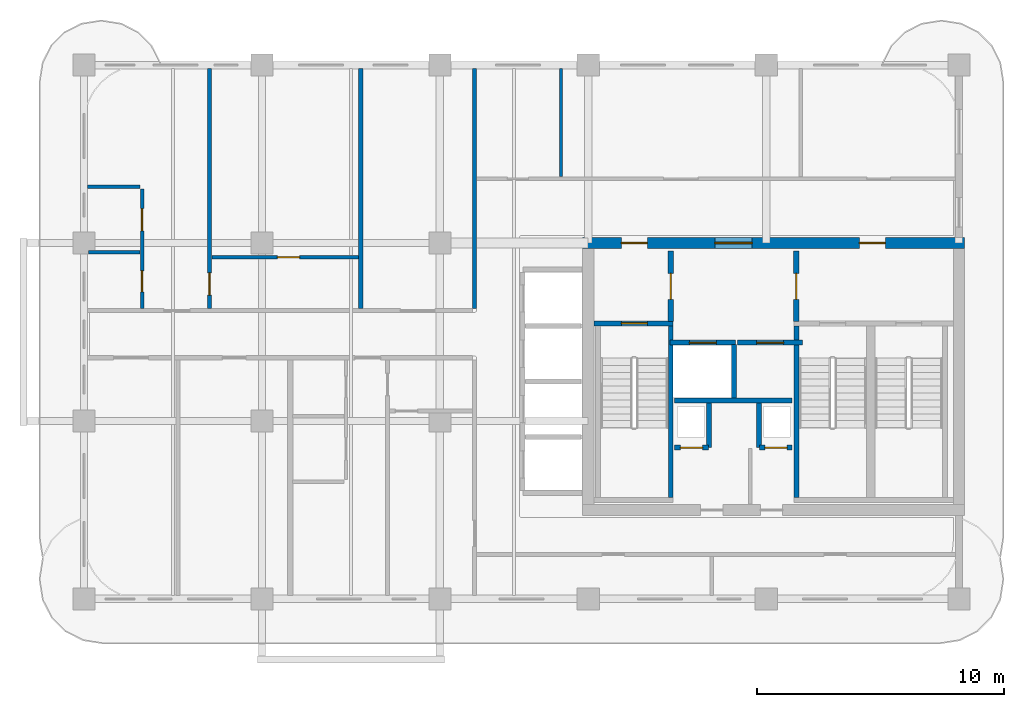
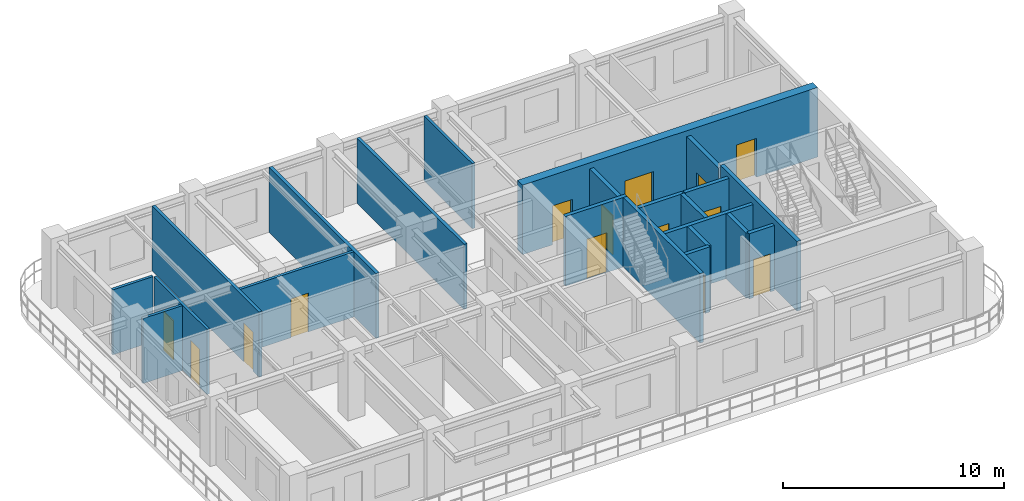
# One storey, part 4 of 8: 22 walls, 14 doors, 14 openings.
"""IFC4 building model written with IfcOpenShell, lengths in metres."""

from ifc_helpers import new_model, si_unit, derived_unit, direction, frame, frame_2d, origin, place, context, subcontext, project, spatial, rectangle, extrude, source, transform, mapped, material, layer, layer_set, type_object, type_shapes, element, fill, save


model = new_model("IFC4")

# Units and contexts
model_context = context("Model", 3, precision=1e-05, world=origin(), true_north=direction((0.0, 1.0)))
body_context = subcontext(model_context, "Body", "Model", "MODEL_VIEW")
ifc_project = project(units=[si_unit("LENGTHUNIT", "METRE"), si_unit("AREAUNIT", "SQUARE_METRE"), si_unit("VOLUMEUNIT", "CUBIC_METRE"), si_unit("PLANEANGLEUNIT", "RADIAN"), si_unit("MASSUNIT", "GRAM", prefix="KILO"), si_unit("THERMODYNAMICTEMPERATUREUNIT", "KELVIN"), si_unit("POWERUNIT", "WATT"), derived_unit("THERMALTRANSMITTANCEUNIT", [(si_unit("POWERUNIT", "WATT"), 1), (si_unit("AREAUNIT", "SQUARE_METRE"), -1), (si_unit("THERMODYNAMICTEMPERATUREUNIT", "KELVIN"), -1)])], contexts=[model_context])

# Site, building, storey
site_placement = place(None, origin())
site = spatial("IfcSite", under=ifc_project, at=site_placement, CompositionType="ELEMENT")
building_placement = place(site_placement, origin())
building = spatial("IfcBuilding", under=site, at=building_placement, Name="Zahravan Archway Hotel and Residences", CompositionType="ELEMENT")
storey_placement = place(building_placement, frame((0.0, 0.0, 228.85009765625)))
storey = spatial("IfcBuildingStorey", under=building, at=storey_placement, Name="L57", CompositionType="ELEMENT", Elevation=228.85009765625)

# Wall, openings, doors
ifc_material_1 = material(Name="Concrete C50/60", Category="concrete")
ifc_layer_1 = layer(ifc_material_1, 0.449951171875, Name="Concrete C50/60", Category="concrete")
ifc_layer_set_1 = layer_set([ifc_layer_1], Name="Concrete C50/60")
wall_type_1 = type_object("IfcWallType", Name="CW-CORE-450", PredefinedType="SHEAR", material=ifc_layer_set_1)
wall_1_placement = place(storey_placement, frame((34.574951171875, 14.39990234375, 0.0), z_axis=(0.0, 0.0, 1.0), x_axis=(1.0, 0.0, 0.0)))
wall_1 = element("IfcWall", 1, at=wall_1_placement, inside=storey, type_object=wall_type_1, Name="L57 Core A Shear N Wall 450 mm", PredefinedType="SHEAR", context=body_context, shape_type="SweptSolid", body=[
    extrude(rectangle(XDim=15.449951171875, YDim=0.449951171875, at=frame_2d((7.72509765625, 0.0))), origin(), (0.0, 0.0, 1.0), 3.849853515625),
])
opening_1_placement = place(wall_1_placement, frame((5.35498046875, 0.0, 0.0)))
opening_1 = element("IfcOpeningElement", 2, at=opening_1_placement, cuts=wall_1, Name="Opening FD-L1", PredefinedType="OPENING", context=body_context, shape_type="SweptSolid", body=[
    extrude(rectangle(XDim=1.5, YDim=2.199951171875, at=frame_2d((0.75, 1.10009765625))), frame((0.0, 0.23486328125, 0.0), z_axis=(0.0, -1.0, 0.0), x_axis=(1.0, 0.0, 0.0)), (0.0, 0.0, 1.0), 0.469970703125),
])
opening_2_placement = place(wall_1_placement, frame((1.570068359375, 0.0, 0.0)))
opening_2 = element("IfcOpeningElement", 3, at=opening_2_placement, cuts=wall_1, Name="Opening FD-L2", PredefinedType="OPENING", context=body_context, shape_type="SweptSolid", body=[
    extrude(rectangle(XDim=1.050048828125, YDim=2.14990234375, at=frame_2d((0.52490234375, 1.074951171875))), frame((0.0, 0.23486328125, 0.0), z_axis=(0.0, -1.0, 0.0), x_axis=(1.0, 0.0, 0.0)), (0.0, 0.0, 1.0), 0.469970703125),
])
opening_3_placement = place(wall_1_placement, frame((11.199951171875, 0.0, 0.0)))
opening_3 = element("IfcOpeningElement", 4, at=opening_3_placement, cuts=wall_1, Name="Opening FD-L2", PredefinedType="OPENING", context=body_context, shape_type="SweptSolid", body=[
    extrude(rectangle(XDim=1.050048828125, YDim=2.14990234375, at=frame_2d((0.52490234375, 1.074951171875))), frame((0.0, 0.23486328125, 0.0), z_axis=(0.0, -1.0, 0.0), x_axis=(1.0, 0.0, 0.0)), (0.0, 0.0, 1.0), 0.469970703125),
])
ifc_material_2 = material(Name="Fire-Rated Painted Steel", Category="steel")
door_type_1 = type_object("IfcDoorType", Name="FD-LOBBY-1100", OperationType="NOTDEFINED", PredefinedType="DOOR", material=ifc_material_2)
shared_shape_1 = source(origin(), body_context, "Body", "SweptSolid", [
    extrude(rectangle(XDim=1.050048828125, YDim=2.14990234375, at=frame_2d((0.52490234375, 1.074951171875))), frame((0.0, 0.02490234375, 0.0), z_axis=(0.0, -1.0, 0.0), x_axis=(1.0, 0.0, 0.0)), (0.0, 0.0, 1.0), 0.050048828125),
])
type_shapes(door_type_1, [shared_shape_1])
door_1_placement = place(opening_2_placement, origin())
door_1 = element("IfcDoor", 5, at=door_1_placement, inside=storey, type_object=door_type_1, Name="L57 Core A West Stair Lobby Door", OperationType="SINGLE_SWING_LEFT", OverallHeight=2.14990234375, OverallWidth=1.050048828125, PredefinedType="DOOR", context=body_context, shape_type="MappedRepresentation", body=[
    mapped(shared_shape_1, transform((0.0, 0.0, 0.0), scale=1.0)),
])
fill(opening_2, door_1)
door_2_placement = place(opening_3_placement, origin())
door_2 = element("IfcDoor", 6, at=door_2_placement, inside=storey, type_object=door_type_1, Name="L57 Core A East Stair Lobby Door", OperationType="SINGLE_SWING_RIGHT", OverallHeight=2.14990234375, OverallWidth=1.050048828125, PredefinedType="DOOR", context=body_context, shape_type="MappedRepresentation", body=[
    mapped(shared_shape_1, transform((0.0, 0.0, 0.0), scale=1.0)),
])
fill(opening_3, door_2)
door_type_2 = type_object("IfcDoorType", Name="FD-LOBBY-1500", OperationType="DOUBLE_DOOR_SINGLE_SWING", PredefinedType="DOOR", material=ifc_material_2)
shared_shape_2 = source(origin(), body_context, "Body", "SweptSolid", [
    extrude(rectangle(XDim=1.5, YDim=2.199951171875, at=frame_2d((0.75, 1.10009765625))), frame((0.0, 0.02490234375, 0.0), z_axis=(0.0, -1.0, 0.0), x_axis=(1.0, 0.0, 0.0)), (0.0, 0.0, 1.0), 0.050048828125),
])
type_shapes(door_type_2, [shared_shape_2])
door_3_placement = place(opening_1_placement, origin())
door_3 = element("IfcDoor", 7, at=door_3_placement, inside=storey, type_object=door_type_2, Name="L57 Core A FSAE Lobby Main Door", OperationType="DOUBLE_DOOR_SINGLE_SWING", OverallHeight=2.199951171875, OverallWidth=1.5, PredefinedType="DOOR", context=body_context, shape_type="MappedRepresentation", body=[
    mapped(shared_shape_2, transform((0.0, 0.0, 0.0), scale=1.0)),
])
fill(opening_1, door_3)

# Wall, opening, door
ifc_material_3 = material(Name="Fire-Rated Gypsum & Concrete Block", Category="concrete")
ifc_layer_2 = layer(ifc_material_3, 0.219970703125, Name="Fire-Rated Gypsum & Concrete Block", Category="concrete")
ifc_layer_set_2 = layer_set([ifc_layer_2], Name="Fire-Rated Gypsum & Concrete Block")
wall_type_2 = type_object("IfcWallType", Name="PW-COMP-220", PredefinedType="PARTITIONING", material=ifc_layer_set_2)
wall_2_placement = place(storey_placement, frame((38.139892578125, 11.219970703125, 0.0), z_axis=(0.0, 0.0, 1.0), x_axis=(0.0, 1.0, 0.0)))
wall_2 = element("IfcWall", 8, at=wall_2_placement, inside=storey, type_object=wall_type_2, Name="L57 Partition CA-LOBW", PredefinedType="PARTITIONING", context=body_context, shape_type="SweptSolid", body=[
    extrude(rectangle(XDim=2.860107421875, YDim=0.219970703125, at=frame_2d((1.43017578125, 0.0))), origin(), (0.0, 0.0, 1.0), 3.599853515625),
])
opening_4_placement = place(wall_2_placement, frame((0.905029296875, 0.0, 0.0)))
opening_4 = element("IfcOpeningElement", 9, at=opening_4_placement, cuts=wall_2, Name="Opening FD-L2", PredefinedType="OPENING", context=body_context, shape_type="SweptSolid", body=[
    extrude(rectangle(XDim=1.050048828125, YDim=2.14990234375, at=frame_2d((0.52490234375, 1.074951171875))), frame((0.0, 0.1201171875, 0.0), z_axis=(0.0, -1.0, 0.0), x_axis=(1.0, 0.0, 0.0)), (0.0, 0.0, 1.0), 0.239990234375),
])
door_4_placement = place(opening_4_placement, origin())
door_4 = element("IfcDoor", 10, at=door_4_placement, inside=storey, type_object=door_type_1, Name="L57 Core A West Stair to FSAE Lobby Door", OperationType="SINGLE_SWING_LEFT", OverallHeight=2.14990234375, OverallWidth=1.050048828125, PredefinedType="DOOR", context=body_context, shape_type="MappedRepresentation", body=[
    mapped(shared_shape_1, transform((0.0, 0.0, 0.0), scale=1.0)),
])
fill(opening_4, door_4)

wall_3_placement = place(storey_placement, frame((43.219970703125, 11.219970703125, 0.0), z_axis=(0.0, 0.0, 1.0), x_axis=(0.0, 1.0, 0.0)))
wall_3 = element("IfcWall", 11, at=wall_3_placement, inside=storey, type_object=wall_type_2, Name="L57 Partition CA-LOBE", PredefinedType="PARTITIONING", context=body_context, shape_type="SweptSolid", body=[
    extrude(rectangle(XDim=2.860107421875, YDim=0.219970703125, at=frame_2d((1.43017578125, 0.0))), origin(), (0.0, 0.0, 1.0), 3.599853515625),
])
opening_5_placement = place(wall_3_placement, frame((0.905029296875, 0.0, 0.0)))
opening_5 = element("IfcOpeningElement", 12, at=opening_5_placement, cuts=wall_3, Name="Opening FD-L2", PredefinedType="OPENING", context=body_context, shape_type="SweptSolid", body=[
    extrude(rectangle(XDim=1.050048828125, YDim=2.14990234375, at=frame_2d((0.52490234375, 1.074951171875))), frame((0.0, 0.1201171875, 0.0), z_axis=(0.0, -1.0, 0.0), x_axis=(1.0, 0.0, 0.0)), (0.0, 0.0, 1.0), 0.239990234375),
])
door_5_placement = place(opening_5_placement, origin())
door_5 = element("IfcDoor", 13, at=door_5_placement, inside=storey, type_object=door_type_1, Name="L57 Core A East Stair to FSAE Lobby Door", OperationType="SINGLE_SWING_RIGHT", OverallHeight=2.14990234375, OverallWidth=1.050048828125, PredefinedType="DOOR", context=body_context, shape_type="MappedRepresentation", body=[
    mapped(shared_shape_1, transform((0.0, 0.0, 0.0), scale=1.0)),
])
fill(opening_5, door_5)

# Walls
ifc_layer_3 = layer(ifc_material_3, 0.159912109375, Name="Fire-Rated Gypsum & Concrete Block", Category="concrete")
ifc_layer_set_3 = layer_set([ifc_layer_3], Name="Fire-Rated Gypsum & Concrete Block")
wall_type_3 = type_object("IfcWallType", Name="PW-CORR-160", PredefinedType="PARTITIONING", material=ifc_layer_set_3)
wall_4_placement = place(storey_placement, frame((30.199951171875, 11.760009765625, 0.0), z_axis=(0.0, 0.0, 1.0), x_axis=(0.0, 1.0, 0.0)))
element("IfcWall", 14, at=wall_4_placement, inside=storey, type_object=wall_type_3, Name="L57 Partition WA-FW", PredefinedType="PARTITIONING", context=body_context, shape_type="SweptSolid", body=[
    extrude(rectangle(XDim=9.699951171875, YDim=0.159912109375, at=frame_2d((4.85009765625, 0.0))), origin(), (0.0, 0.0, 1.0), 3.599853515625),
])
ifc_layer_4 = layer(ifc_material_3, 0.199951171875, Name="Fire-Rated Gypsum & Concrete Block", Category="concrete")
ifc_layer_set_4 = layer_set([ifc_layer_4], Name="Fire-Rated Gypsum & Concrete Block")
wall_type_4 = type_object("IfcWallType", Name="PW-SHAFT-200", PredefinedType="PARTITIONING", material=ifc_layer_set_4)
wall_5_placement = place(storey_placement, frame((38.300048828125, 8.030029296875, 0.0), z_axis=(0.0, 0.0, 1.0), x_axis=(1.0, 0.0, 0.0)))
element("IfcWall", 15, at=wall_5_placement, inside=storey, type_object=wall_type_4, Name="L57 Partition CA-FLS", PredefinedType="PARTITIONING", context=body_context, shape_type="SweptSolid", body=[
    extrude(rectangle(XDim=4.739990234375, YDim=0.199951171875, at=frame_2d((2.3701171875, 0.0))), origin(), (0.0, 0.0, 1.0), 3.599853515625),
])
wall_6_placement = place(storey_placement, frame((40.699951171875, 8.1201171875, 0.0), z_axis=(0.0, 0.0, 1.0), x_axis=(0.0, 1.0, 0.0)))
element("IfcWall", 16, at=wall_6_placement, inside=storey, type_object=wall_type_4, Name="L57 Partition CA-FLM", PredefinedType="PARTITIONING", context=body_context, shape_type="SweptSolid", body=[
    extrude(rectangle(XDim=2.179931640625, YDim=0.199951171875, at=frame_2d((1.08984375, 0.0))), origin(), (0.0, 0.0, 1.0), 3.599853515625),
])

# Wall, opening, door
wall_7_placement = place(storey_placement, frame((38.2900390625, 6.1201171875, 0.0), z_axis=(0.0, 0.0, 1.0), x_axis=(1.0, 0.0, 0.0)))
wall_7 = element("IfcWall", 17, at=wall_7_placement, inside=storey, type_object=wall_type_4, Name="L57 Partition CA-SMKS", PredefinedType="PARTITIONING", context=body_context, shape_type="SweptSolid", body=[
    extrude(rectangle(XDim=1.3798828125, YDim=0.199951171875, at=frame_2d((0.68994140625, 0.0))), origin(), (0.0, 0.0, 1.0), 3.599853515625),
])
opening_6_placement = place(wall_7_placement, frame((0.239990234375, 0.0, 0.0)))
opening_6 = element("IfcOpeningElement", 18, at=opening_6_placement, cuts=wall_7, Name="Opening FD-R1", PredefinedType="OPENING", context=body_context, shape_type="SweptSolid", body=[
    extrude(rectangle(XDim=0.89990234375, YDim=2.10009765625, at=frame_2d((0.449951171875, 1.050048828125))), frame((0.0, 0.10986328125, 0.0), z_axis=(0.0, -1.0, 0.0), x_axis=(1.0, 0.0, 0.0)), (0.0, 0.0, 1.0), 0.219970703125),
])
door_type_3 = type_object("IfcDoorType", Name="FD-RISER-900", OperationType="NOTDEFINED", PredefinedType="DOOR", material=ifc_material_2)
shared_shape_3 = source(origin(), body_context, "Body", "SweptSolid", [
    extrude(rectangle(XDim=0.89990234375, YDim=2.10009765625, at=frame_2d((0.449951171875, 1.050048828125))), frame((0.0, 0.02490234375, 0.0), z_axis=(0.0, -1.0, 0.0), x_axis=(1.0, 0.0, 0.0)), (0.0, 0.0, 1.0), 0.050048828125),
])
type_shapes(door_type_3, [shared_shape_3])
door_6_placement = place(opening_6_placement, origin())
door_6 = element("IfcDoor", 19, at=door_6_placement, inside=storey, type_object=door_type_3, Name="L57 Smoke Riser Access Door", OperationType="SINGLE_SWING_LEFT", OverallHeight=2.10009765625, OverallWidth=0.89990234375, PredefinedType="DOOR", context=body_context, shape_type="MappedRepresentation", body=[
    mapped(shared_shape_3, transform((0.0, 0.0, 0.0), scale=1.0)),
])
fill(opening_6, door_6)

# Wall
wall_8_placement = place(storey_placement, frame((39.679931640625, 6.1298828125, 0.0), z_axis=(0.0, 0.0, 1.0), x_axis=(0.0, 1.0, 0.0)))
element("IfcWall", 20, at=wall_8_placement, inside=storey, type_object=wall_type_4, Name="L57 Partition CA-SMKE", PredefinedType="PARTITIONING", context=body_context, shape_type="SweptSolid", body=[
    extrude(rectangle(XDim=1.7900390625, YDim=0.199951171875, at=frame_2d((0.89501953125, 0.0))), origin(), (0.0, 0.0, 1.0), 3.599853515625),
])

# Wall, opening, door
wall_9_placement = place(storey_placement, frame((41.72998046875, 6.1201171875, 0.0), z_axis=(0.0, 0.0, 1.0), x_axis=(1.0, 0.0, 0.0)))
wall_9 = element("IfcWall", 21, at=wall_9_placement, inside=storey, type_object=wall_type_4, Name="L57 Partition CA-MEPS", PredefinedType="PARTITIONING", context=body_context, shape_type="SweptSolid", body=[
    extrude(rectangle(XDim=1.320068359375, YDim=0.199951171875, at=frame_2d((0.66015625, 0.0))), origin(), (0.0, 0.0, 1.0), 3.599853515625),
])
opening_7_placement = place(wall_9_placement, frame((0.219970703125, 0.0, 0.0)))
opening_7 = element("IfcOpeningElement", 22, at=opening_7_placement, cuts=wall_9, Name="Opening FD-R1", PredefinedType="OPENING", context=body_context, shape_type="SweptSolid", body=[
    extrude(rectangle(XDim=0.89990234375, YDim=2.10009765625, at=frame_2d((0.449951171875, 1.050048828125))), frame((0.0, 0.10986328125, 0.0), z_axis=(0.0, -1.0, 0.0), x_axis=(1.0, 0.0, 0.0)), (0.0, 0.0, 1.0), 0.219970703125),
])
door_7_placement = place(opening_7_placement, origin())
door_7 = element("IfcDoor", 23, at=door_7_placement, inside=storey, type_object=door_type_3, Name="L57 MEP Riser Access Door", OperationType="SINGLE_SWING_RIGHT", OverallHeight=2.10009765625, OverallWidth=0.89990234375, PredefinedType="DOOR", context=body_context, shape_type="MappedRepresentation", body=[
    mapped(shared_shape_3, transform((0.0, 0.0, 0.0), scale=1.0)),
])
fill(opening_7, door_7)

# Wall
wall_10_placement = place(storey_placement, frame((41.719970703125, 6.1298828125, 0.0), z_axis=(0.0, 0.0, 1.0), x_axis=(0.0, 1.0, 0.0)))
element("IfcWall", 24, at=wall_10_placement, inside=storey, type_object=wall_type_4, Name="L57 Partition CA-MEPW", PredefinedType="PARTITIONING", context=body_context, shape_type="SweptSolid", body=[
    extrude(rectangle(XDim=1.7900390625, YDim=0.199951171875, at=frame_2d((0.89501953125, 0.0))), origin(), (0.0, 0.0, 1.0), 3.599853515625),
])

# Wall, opening, door
wall_11_placement = place(storey_placement, frame((38.1201171875, 10.3701171875, 0.0), z_axis=(0.0, 0.0, 1.0), x_axis=(1.0, 0.0, 0.0)))
wall_11 = element("IfcWall", 25, at=wall_11_placement, inside=storey, type_object=wall_type_4, Name="L57 Lift FL-1 Front Wall", PredefinedType="PARTITIONING", context=body_context, shape_type="SweptSolid", body=[
    extrude(rectangle(XDim=2.639892578125, YDim=0.199951171875, at=frame_2d((1.31982421875, 0.0))), origin(), (0.0, 0.0, 1.0), 3.599853515625),
])
opening_8_placement = place(wall_11_placement, frame((0.77001953125, 0.0, 0.0)))
opening_8 = element("IfcOpeningElement", 26, at=opening_8_placement, cuts=wall_11, Name="Opening LD", PredefinedType="OPENING", context=body_context, shape_type="SweptSolid", body=[
    extrude(rectangle(XDim=1.10009765625, YDim=2.199951171875, at=frame_2d((0.550048828125, 1.10009765625))), frame((0.0, 0.10986328125, 0.0), z_axis=(0.0, -1.0, 0.0), x_axis=(1.0, 0.0, 0.0)), (0.0, 0.0, 1.0), 0.219970703125),
])
ifc_material_4 = material(Name="Brushed Stainless Steel", Category="steel")
door_type_4 = type_object("IfcDoorType", Name="DR-LIFT-LD", OperationType="SLIDING_TO_LEFT", PredefinedType="DOOR", material=ifc_material_4)
shared_shape_4 = source(origin(), body_context, "Body", "SweptSolid", [
    extrude(rectangle(XDim=1.10009765625, YDim=2.199951171875, at=frame_2d((0.550048828125, 1.10009765625))), frame((0.0, 0.02490234375, 0.0), z_axis=(0.0, -1.0, 0.0), x_axis=(1.0, 0.0, 0.0)), (0.0, 0.0, 1.0), 0.050048828125),
])
type_shapes(door_type_4, [shared_shape_4])
door_8_placement = place(opening_8_placement, origin())
door_8 = element("IfcDoor", 27, at=door_8_placement, inside=storey, type_object=door_type_4, Name="L57 Lift FL-1 Sliding Landing Door", OperationType="SLIDING_TO_LEFT", OverallHeight=2.199951171875, OverallWidth=1.10009765625, PredefinedType="DOOR", context=body_context, shape_type="MappedRepresentation", body=[
    mapped(shared_shape_4, transform((0.0, 0.0, 0.0), scale=1.0)),
])
fill(opening_8, door_8)

wall_12_placement = place(storey_placement, frame((40.840087890625, 10.3701171875, 0.0), z_axis=(0.0, 0.0, 1.0), x_axis=(1.0, 0.0, 0.0)))
wall_12 = element("IfcWall", 28, at=wall_12_placement, inside=storey, type_object=wall_type_4, Name="L57 Lift FL-2 Front Wall", PredefinedType="PARTITIONING", context=body_context, shape_type="SweptSolid", body=[
    extrude(rectangle(XDim=2.639892578125, YDim=0.199951171875, at=frame_2d((1.31982421875, 0.0))), origin(), (0.0, 0.0, 1.0), 3.599853515625),
])
opening_9_placement = place(wall_12_placement, frame((0.77001953125, 0.0, 0.0)))
opening_9 = element("IfcOpeningElement", 29, at=opening_9_placement, cuts=wall_12, Name="Opening LD", PredefinedType="OPENING", context=body_context, shape_type="SweptSolid", body=[
    extrude(rectangle(XDim=1.10009765625, YDim=2.199951171875, at=frame_2d((0.550048828125, 1.10009765625))), frame((0.0, 0.10986328125, 0.0), z_axis=(0.0, -1.0, 0.0), x_axis=(1.0, 0.0, 0.0)), (0.0, 0.0, 1.0), 0.219970703125),
])
door_9_placement = place(opening_9_placement, origin())
door_9 = element("IfcDoor", 30, at=door_9_placement, inside=storey, type_object=door_type_4, Name="L57 Lift FL-2 Sliding Landing Door", OperationType="SLIDING_TO_LEFT", OverallHeight=2.199951171875, OverallWidth=1.10009765625, PredefinedType="DOOR", context=body_context, shape_type="MappedRepresentation", body=[
    mapped(shared_shape_4, transform((0.0, 0.0, 0.0), scale=1.0)),
])
fill(opening_9, door_9)

ifc_material_5 = material(Name="Acoustic Stud Partition")
ifc_layer_5 = layer(ifc_material_5, 0.14990234375, Name="Acoustic Stud Partition")
ifc_layer_set_5 = layer_set([ifc_layer_5], Name="Acoustic Stud Partition")
wall_type_5 = type_object("IfcWallType", Name="PW-UNIT-150", PredefinedType="PARTITIONING", material=ifc_layer_set_5)
wall_13_placement = place(storey_placement, frame((19.47998046875, 11.760009765625, 0.0), z_axis=(0.0, 0.0, 1.0), x_axis=(0.0, 1.0, 0.0)))
wall_13 = element("IfcWall", 31, at=wall_13_placement, inside=storey, type_object=wall_type_5, Name="L57 Partition FL-N1-SP", PredefinedType="PARTITIONING", context=body_context, shape_type="SweptSolid", body=[
    extrude(rectangle(XDim=9.69189453125, YDim=0.14990234375, at=frame_2d((4.845947265625, 0.0))), origin(), (0.0, 0.0, 1.0), 3.599853515625),
])
opening_10_placement = place(wall_13_placement, frame((0.534912109375, 0.0, 0.0)))
opening_10 = element("IfcOpeningElement", 32, at=opening_10_placement, cuts=wall_13, Name="Opening D-I2", PredefinedType="OPENING", context=body_context, shape_type="SweptSolid", body=[
    extrude(rectangle(XDim=0.89990234375, YDim=2.14990234375, at=frame_2d((0.449951171875, 1.074951171875))), frame((0.0, 0.0849609375, 0.0), z_axis=(0.0, -1.0, 0.0), x_axis=(1.0, 0.0, 0.0)), (0.0, 0.0, 1.0), 0.169921875),
])
ifc_material_6 = material(Name="Hardwood Veneer Timber", Category="wood")
door_type_5 = type_object("IfcDoorType", Name="ID-INT-900", OperationType="NOTDEFINED", PredefinedType="DOOR", material=ifc_material_6)
shared_shape_5 = source(origin(), body_context, "Body", "SweptSolid", [
    extrude(rectangle(XDim=0.89990234375, YDim=2.14990234375, at=frame_2d((0.449951171875, 1.074951171875))), frame((0.0, 0.02490234375, 0.0), z_axis=(0.0, -1.0, 0.0), x_axis=(1.0, 0.0, 0.0)), (0.0, 0.0, 1.0), 0.050048828125),
])
type_shapes(door_type_5, [shared_shape_5])
door_10_placement = place(opening_10_placement, origin())
door_10 = element("IfcDoor", 33, at=door_10_placement, inside=storey, type_object=door_type_5, Name="L57 Flat N1 Bedroom Hall Door", OperationType="SINGLE_SWING_LEFT", OverallHeight=2.14990234375, OverallWidth=0.89990234375, PredefinedType="DOOR", context=body_context, shape_type="MappedRepresentation", body=[
    mapped(shared_shape_5, transform((0.0, 0.0, 0.0), scale=1.0)),
])
fill(opening_10, door_10)

wall_14_placement = place(storey_placement, frame((19.570068359375, 13.820068359375, 0.0), z_axis=(0.0, 0.0, 1.0), x_axis=(1.0, 0.0, 0.0)))
wall_14 = element("IfcWall", 34, at=wall_14_placement, inside=storey, type_object=wall_type_5, Name="L57 Partition FL-N1-GH", PredefinedType="PARTITIONING", context=body_context, shape_type="SweptSolid", body=[
    extrude(rectangle(XDim=5.93994140625, YDim=0.14990234375, at=frame_2d((2.969970703125, 0.0))), origin(), (0.0, 0.0, 1.0), 3.599853515625),
])
opening_11_placement = place(wall_14_placement, frame((2.65869140625, 0.0, 0.0)))
opening_11 = element("IfcOpeningElement", 35, at=opening_11_placement, cuts=wall_14, Name="Opening D-I2", PredefinedType="OPENING", context=body_context, shape_type="SweptSolid", body=[
    extrude(rectangle(XDim=0.89990234375, YDim=2.14990234375, at=frame_2d((0.449951171875, 1.074951171875))), frame((0.0, 0.0849609375, 0.0), z_axis=(0.0, -1.0, 0.0), x_axis=(1.0, 0.0, 0.0)), (0.0, 0.0, 1.0), 0.169921875),
])
door_11_placement = place(opening_11_placement, origin())
door_11 = element("IfcDoor", 36, at=door_11_placement, inside=storey, type_object=door_type_5, Name="L57 Flat N1 Bedroom 1 Door", OperationType="SINGLE_SWING_RIGHT", OverallHeight=2.14990234375, OverallWidth=0.89990234375, PredefinedType="DOOR", context=body_context, shape_type="MappedRepresentation", body=[
    mapped(shared_shape_5, transform((0.0, 0.0, 0.0), scale=1.0)),
])
fill(opening_11, door_11)

# Walls
ifc_layer_6 = layer(ifc_material_5, 0.169921875, Name="Acoustic Stud Partition")
ifc_layer_set_6 = layer_set([ifc_layer_6], Name="Acoustic Stud Partition")
wall_type_6 = type_object("IfcWallType", Name="PW-UNIT-170", PredefinedType="PARTITIONING", material=ifc_layer_set_6)
wall_15_placement = place(storey_placement, frame((25.60009765625, 11.760009765625, 0.0), z_axis=(0.0, 0.0, 1.0), x_axis=(0.0, 1.0, 0.0)))
element("IfcWall", 37, at=wall_15_placement, inside=storey, type_object=wall_type_6, Name="L57 Partition WAN-N2", PredefinedType="PARTITIONING", context=body_context, shape_type="SweptSolid", body=[
    extrude(rectangle(XDim=9.69189453125, YDim=0.169921875, at=frame_2d((4.845947265625, 0.0))), origin(), (0.0, 0.0, 1.0), 3.599853515625),
])
ifc_material_7 = material(Name="Moisture-Resistant Blockwork", Category="masonry")
ifc_layer_7 = layer(ifc_material_7, 0.139892578125, Name="Moisture-Resistant Blockwork", Category="masonry")
ifc_layer_set_7 = layer_set([ifc_layer_7], Name="Moisture-Resistant Blockwork")
wall_type_7 = type_object("IfcWallType", Name="PW-WET-140", PredefinedType="PARTITIONING", material=ifc_layer_set_7)
wall_16_placement = place(storey_placement, frame((33.699951171875, 17.090087890625, 0.0), z_axis=(0.0, 0.0, 1.0), x_axis=(0.0, 1.0, 0.0)))
element("IfcWall", 38, at=wall_16_placement, inside=storey, type_object=wall_type_7, Name="L57 Partition NE3-1", PredefinedType="PARTITIONING", context=body_context, shape_type="SweptSolid", body=[
    extrude(rectangle(XDim=4.36181640625, YDim=0.139892578125, at=frame_2d((2.180908203125, 0.0))), origin(), (0.0, 0.0, 1.0), 3.599853515625),
])

# Wall, openings, doors
wall_17_placement = place(storey_placement, frame((16.75, 11.760009765625, 0.0), z_axis=(0.0, 0.0, 1.0), x_axis=(0.0, 1.0, 0.0)))
wall_17 = element("IfcWall", 39, at=wall_17_placement, inside=storey, type_object=wall_type_7, Name="L57 Partition FL-N1-BV", PredefinedType="PARTITIONING", context=body_context, shape_type="SweptSolid", body=[
    extrude(rectangle(XDim=4.820068359375, YDim=0.139892578125, at=frame_2d((2.41015625, 0.0))), origin(), (0.0, 0.0, 1.0), 3.599853515625),
])
opening_12_placement = place(wall_17_placement, frame((0.659912109375, 0.0, 0.0)))
opening_12 = element("IfcOpeningElement", 40, at=opening_12_placement, cuts=wall_17, Name="Opening D-B1", PredefinedType="OPENING", context=body_context, shape_type="SweptSolid", body=[
    extrude(rectangle(XDim=0.85009765625, YDim=2.10009765625, at=frame_2d((0.425048828125, 1.050048828125))), frame((0.0, 0.080078125, 0.0), z_axis=(0.0, -1.0, 0.0), x_axis=(1.0, 0.0, 0.0)), (0.0, 0.0, 1.0), 0.159912109375),
])
opening_13_placement = place(wall_17_placement, frame((3.135009765625, 0.0, 0.0)))
opening_13 = element("IfcOpeningElement", 41, at=opening_13_placement, cuts=wall_17, Name="Opening D-I2", PredefinedType="OPENING", context=body_context, shape_type="SweptSolid", body=[
    extrude(rectangle(XDim=0.89990234375, YDim=2.14990234375, at=frame_2d((0.449951171875, 1.074951171875))), frame((0.0, 0.080078125, 0.0), z_axis=(0.0, -1.0, 0.0), x_axis=(1.0, 0.0, 0.0)), (0.0, 0.0, 1.0), 0.159912109375),
])
door_type_6 = type_object("IfcDoorType", Name="ID-BATH-850", OperationType="NOTDEFINED", PredefinedType="DOOR", material=ifc_material_6)
shared_shape_6 = source(origin(), body_context, "Body", "SweptSolid", [
    extrude(rectangle(XDim=0.85009765625, YDim=2.10009765625, at=frame_2d((0.425048828125, 1.050048828125))), frame((0.0, 0.02490234375, 0.0), z_axis=(0.0, -1.0, 0.0), x_axis=(1.0, 0.0, 0.0)), (0.0, 0.0, 1.0), 0.050048828125),
])
type_shapes(door_type_6, [shared_shape_6])
door_12_placement = place(opening_12_placement, origin())
door_12 = element("IfcDoor", 42, at=door_12_placement, inside=storey, type_object=door_type_6, Name="L57 Flat N1 Bathroom Door", OperationType="SINGLE_SWING_RIGHT", OverallHeight=2.10009765625, OverallWidth=0.85009765625, PredefinedType="DOOR", context=body_context, shape_type="MappedRepresentation", body=[
    mapped(shared_shape_6, transform((0.0, 0.0, 0.0), scale=1.0)),
])
fill(opening_12, door_12)
door_13_placement = place(opening_13_placement, origin())
door_13 = element("IfcDoor", 43, at=door_13_placement, inside=storey, type_object=door_type_5, Name="L57 Flat N1 Kitchen Door", OperationType="SINGLE_SWING_LEFT", OverallHeight=2.14990234375, OverallWidth=0.89990234375, PredefinedType="DOOR", context=body_context, shape_type="MappedRepresentation", body=[
    mapped(shared_shape_5, transform((0.0, 0.0, 0.0), scale=1.0)),
])
fill(opening_13, door_13)

# Walls
wall_18_placement = place(storey_placement, frame((14.590087890625, 14.02001953125, 0.0), z_axis=(0.0, 0.0, 1.0), x_axis=(1.0, 0.0, 0.0)))
element("IfcWall", 44, at=wall_18_placement, inside=storey, type_object=wall_type_7, Name="L57 Partition FL-N1-BM", PredefinedType="PARTITIONING", context=body_context, shape_type="SweptSolid", body=[
    extrude(rectangle(XDim=2.06982421875, YDim=0.139892578125, at=frame_2d((1.034912109375, 0.0))), origin(), (0.0, 0.0, 1.0), 3.599853515625),
])
wall_19_placement = place(storey_placement, frame((14.548095703125, 16.669921875, 0.0), z_axis=(0.0, 0.0, 1.0), x_axis=(1.0, 0.0, 0.0)))
element("IfcWall", 45, at=wall_19_placement, inside=storey, type_object=wall_type_7, Name="L57 Partition FL-N1-KH", PredefinedType="PARTITIONING", context=body_context, shape_type="SweptSolid", body=[
    extrude(rectangle(XDim=2.11181640625, YDim=0.139892578125, at=frame_2d((1.055908203125, 0.0))), origin(), (0.0, 0.0, 1.0), 3.599853515625),
])
ifc_layer_8 = layer(ifc_material_1, 0.199951171875, Name="Concrete C50/60", Category="concrete")
ifc_layer_set_8 = layer_set([ifc_layer_8], Name="Concrete C50/60")
wall_type_8 = type_object("IfcWallType", Name="SW-STAIR-200", PredefinedType="SHEAR", material=ifc_layer_set_8)
wall_20_placement = place(storey_placement, frame((38.139892578125, 4.10009765625, 0.0), z_axis=(0.0, 0.0, 1.0), x_axis=(0.0, 1.0, 0.0)))
element("IfcWall", 46, at=wall_20_placement, inside=storey, type_object=wall_type_8, Name="L57 Stairwell RC Wall CA-SA1E", PredefinedType="SHEAR", context=body_context, shape_type="SweptSolid", body=[
    extrude(rectangle(XDim=6.949951171875, YDim=0.199951171875, at=frame_2d((3.47509765625, 0.0))), origin(), (0.0, 0.0, 1.0), 3.849853515625),
])

# Wall, opening, door
wall_21_placement = place(storey_placement, frame((35.02490234375, 11.14990234375, 0.0), z_axis=(0.0, 0.0, 1.0), x_axis=(1.0, 0.0, 0.0)))
wall_21 = element("IfcWall", 47, at=wall_21_placement, inside=storey, type_object=wall_type_8, Name="L57 Stairwell RC Wall CA-SA1N", PredefinedType="SHEAR", context=body_context, shape_type="SweptSolid", body=[
    extrude(rectangle(XDim=3.215087890625, YDim=0.199951171875, at=frame_2d((1.607421875, 0.0))), origin(), (0.0, 0.0, 1.0), 3.849853515625),
])
opening_14_placement = place(wall_21_placement, frame((1.1201171875, 0.0, 0.0)))
opening_14 = element("IfcOpeningElement", 48, at=opening_14_placement, cuts=wall_21, Name="Opening FD-S1", PredefinedType="OPENING", context=body_context, shape_type="SweptSolid", body=[
    extrude(rectangle(XDim=1.050048828125, YDim=2.199951171875, at=frame_2d((0.52490234375, 1.10009765625))), frame((0.0, 0.10986328125, 0.0), z_axis=(0.0, -1.0, 0.0), x_axis=(1.0, 0.0, 0.0)), (0.0, 0.0, 1.0), 0.219970703125),
])
door_type_7 = type_object("IfcDoorType", Name="FD-STAIR-1100", OperationType="NOTDEFINED", PredefinedType="DOOR", material=ifc_material_2)
shared_shape_7 = source(origin(), body_context, "Body", "SweptSolid", [
    extrude(rectangle(XDim=1.050048828125, YDim=2.199951171875, at=frame_2d((0.52490234375, 1.10009765625))), frame((0.0, 0.02490234375, 0.0), z_axis=(0.0, -1.0, 0.0), x_axis=(1.0, 0.0, 0.0)), (0.0, 0.0, 1.0), 0.050048828125),
])
type_shapes(door_type_7, [shared_shape_7])
door_14_placement = place(opening_14_placement, origin())
door_14 = element("IfcDoor", 49, at=door_14_placement, inside=storey, type_object=door_type_7, Name="L57 Stair ST-A1 Door", OperationType="SINGLE_SWING_RIGHT", OverallHeight=2.199951171875, OverallWidth=1.050048828125, PredefinedType="DOOR", context=body_context, shape_type="MappedRepresentation", body=[
    mapped(shared_shape_7, transform((0.0, 0.0, 0.0), scale=1.0)),
])
fill(opening_14, door_14)

# Wall
wall_22_placement = place(storey_placement, frame((43.219970703125, 4.10009765625, 0.0), z_axis=(0.0, 0.0, 1.0), x_axis=(0.0, 1.0, 0.0)))
element("IfcWall", 50, at=wall_22_placement, inside=storey, type_object=wall_type_8, Name="L57 Stairwell RC Wall CA-SA2W", PredefinedType="SHEAR", context=body_context, shape_type="SweptSolid", body=[
    extrude(rectangle(XDim=6.949951171875, YDim=0.199951171875, at=frame_2d((3.47509765625, 0.0))), origin(), (0.0, 0.0, 1.0), 3.849853515625),
])

save(model, "model.ifc")
